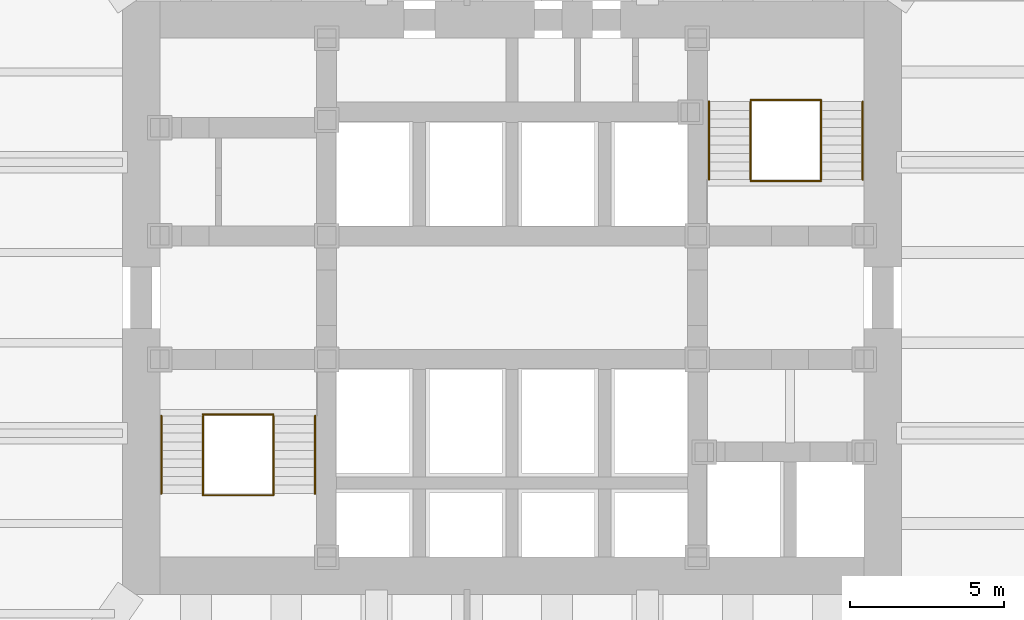
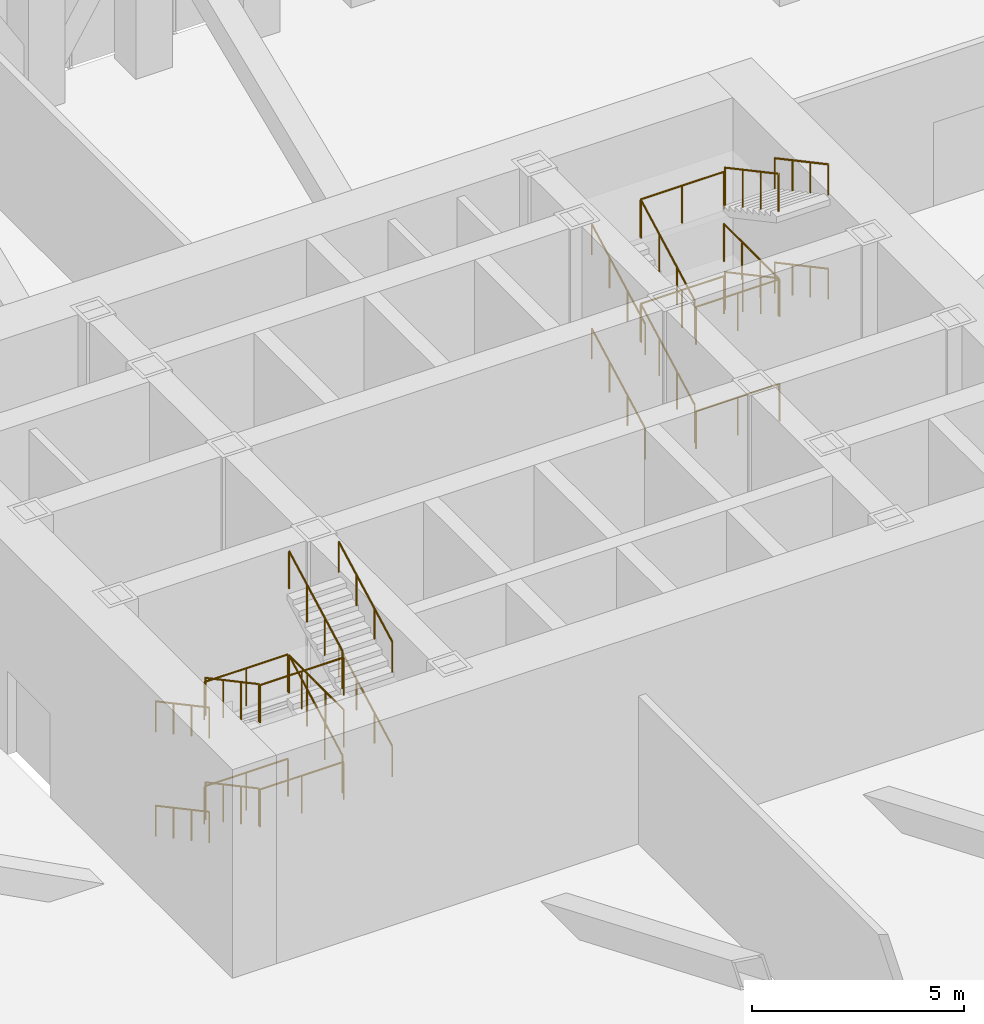
# One storey, part 15 of 15: 26 railings.
"""IFC4 building model written with IfcOpenShell, lengths in metres."""

from ifc_helpers import new_model, si_unit, direction, frame, origin, origin_2d, place, context, subcontext, project, spatial, circle, extrude, material, type_object, element, save


model = new_model("IFC4")

# Units and contexts
model_context = context("Model", 3, precision=1e-05, world=origin(), true_north=direction((0.0, 1.0)))
body_context = subcontext(model_context, "Body", "Model", "MODEL_VIEW")
ifc_project = project(units=[si_unit("LENGTHUNIT", "METRE"), si_unit("AREAUNIT", "SQUARE_METRE"), si_unit("VOLUMEUNIT", "CUBIC_METRE"), si_unit("PLANEANGLEUNIT", "RADIAN"), si_unit("MASSUNIT", "GRAM", prefix="KILO")], contexts=[model_context])

# Site, building, storey
site_placement = place(None, origin())
site = spatial("IfcSite", under=ifc_project, at=site_placement, CompositionType="ELEMENT")
building_placement = place(site_placement, origin())
building = spatial("IfcBuilding", under=site, at=building_placement, Name="Daluyong Arena Tower", CompositionType="ELEMENT")
storey_placement = place(building_placement, frame((0.0, 0.0, 102.10009765625)))
storey = spatial("IfcBuildingStorey", under=building, at=storey_placement, Name="L22", CompositionType="ELEMENT", Elevation=102.10009765625)

# Railings
ifc_material_1 = material(Name="Stainless steel handrail", Category="steel")
railing_type_1 = type_object("IfcRailingType", Name="Stair handrail", PredefinedType="HANDRAIL", material=ifc_material_1)
railing_1_placement = place(storey_placement, frame((44.64990234375, 76.175048828125, 0.14990234375)))
element("IfcRailing", 1, at=railing_1_placement, inside=storey, type_object=railing_type_1, Name="exit stair A handrail L22", PredefinedType="HANDRAIL", context=body_context, shape_type="SweptSolid", body=[
    extrude(circle(Radius=0.02392578125, at=origin_2d()), frame((0.0, 0.0, 0.8759765625), z_axis=(0.0, -0.881467274426, 0.472245110209), x_axis=(1.0, 0.0, 0.0)), (0.0, 0.0, 1.0), 2.85888671875),
    extrude(circle(Radius=0.02099609375, at=origin_2d()), origin(), (0.0, 0.0, 1.0), 0.851806640625),
    extrude(circle(Radius=0.02099609375, at=origin_2d()), frame((0.0, -0.840087890625, 0.449951171875)), (0.0, 0.0, 1.0), 0.851806640625),
    extrude(circle(Radius=0.02099609375, at=origin_2d()), frame((0.0, -1.679931640625, 0.900146484375)), (0.0, 0.0, 1.0), 0.851806640625),
    extrude(circle(Radius=0.02099609375, at=origin_2d()), frame((0.0, -2.52001953125, 1.35009765625)), (0.0, 0.0, 1.0), 0.851806640625),
])
railing_2_placement = place(storey_placement, frame((49.625, 73.655029296875, 1.64990234375)))
element("IfcRailing", 2, at=railing_2_placement, inside=storey, type_object=railing_type_1, Name="exit stair A handrail L22", PredefinedType="HANDRAIL", context=body_context, shape_type="SweptSolid", body=[
    extrude(circle(Radius=0.02392578125, at=origin_2d()), frame((0.0, 0.0, 0.8759765625), z_axis=(0.0, 0.881467274426, 0.472245110209), x_axis=(-1.0, 0.0, 0.0)), (0.0, 0.0, 1.0), 2.85888671875),
    extrude(circle(Radius=0.02099609375, at=origin_2d()), origin(), (0.0, 0.0, 1.0), 0.851806640625),
    extrude(circle(Radius=0.02099609375, at=origin_2d()), frame((0.0, 0.840087890625, 0.449951171875)), (0.0, 0.0, 1.0), 0.851806640625),
    extrude(circle(Radius=0.02099609375, at=origin_2d()), frame((0.0, 1.679931640625, 0.900146484375)), (0.0, 0.0, 1.0), 0.851806640625),
    extrude(circle(Radius=0.02099609375, at=origin_2d()), frame((0.0, 2.52001953125, 1.35009765625)), (0.0, 0.0, 1.0), 0.851806640625),
])
railing_3_placement = place(storey_placement, frame((44.64990234375, 76.175048828125, 3.14990234375)))
element("IfcRailing", 3, at=railing_3_placement, inside=storey, type_object=railing_type_1, Name="exit stair A handrail L22", PredefinedType="HANDRAIL", context=body_context, shape_type="SweptSolid", body=[
    extrude(circle(Radius=0.02392578125, at=origin_2d()), frame((0.0, 0.0, 0.8759765625), z_axis=(0.0, -0.881467274426, 0.472245110209), x_axis=(1.0, 0.0, 0.0)), (0.0, 0.0, 1.0), 2.85888671875),
    extrude(circle(Radius=0.02099609375, at=origin_2d()), origin(), (0.0, 0.0, 1.0), 0.851806640625),
    extrude(circle(Radius=0.02099609375, at=origin_2d()), frame((0.0, -0.840087890625, 0.449951171875)), (0.0, 0.0, 1.0), 0.851806640625),
    extrude(circle(Radius=0.02099609375, at=origin_2d()), frame((0.0, -1.679931640625, 0.900146484375)), (0.0, 0.0, 1.0), 0.851806640625),
    extrude(circle(Radius=0.02099609375, at=origin_2d()), frame((0.0, -2.52001953125, 1.35009765625)), (0.0, 0.0, 1.0), 0.851806640625),
])
for number, where, name in (
    (4, (49.625, 73.655029296875, 4.64990234375), "exit stair A handrail L22"),
    (5, (62.375, 83.824951171875, 0.14990234375), "exit stair B handrail L22"),
):
    element("IfcRailing", number, at=place(storey_placement, frame(where)), inside=storey, type_object=railing_type_1, Name=name, PredefinedType="HANDRAIL", context=body_context, shape_type="SweptSolid", body=[
        extrude(circle(Radius=0.02392578125, at=origin_2d()), frame((0.0, 0.0, 0.8759765625), z_axis=(0.0, 0.881467274426, 0.472245110209), x_axis=(-1.0, 0.0, 0.0)), (0.0, 0.0, 1.0), 2.85888671875),
        extrude(circle(Radius=0.02099609375, at=origin_2d()), origin(), (0.0, 0.0, 1.0), 0.851806640625),
        extrude(circle(Radius=0.02099609375, at=origin_2d()), frame((0.0, 0.840087890625, 0.449951171875)), (0.0, 0.0, 1.0), 0.851806640625),
        extrude(circle(Radius=0.02099609375, at=origin_2d()), frame((0.0, 1.679931640625, 0.900146484375)), (0.0, 0.0, 1.0), 0.851806640625),
        extrude(circle(Radius=0.02099609375, at=origin_2d()), frame((0.0, 2.52001953125, 1.35009765625)), (0.0, 0.0, 1.0), 0.851806640625),
    ])
railing_4_placement = place(storey_placement, frame((67.35009765625, 86.344970703125, 1.64990234375)))
element("IfcRailing", 6, at=railing_4_placement, inside=storey, type_object=railing_type_1, Name="exit stair B handrail L22", PredefinedType="HANDRAIL", context=body_context, shape_type="SweptSolid", body=[
    extrude(circle(Radius=0.02392578125, at=origin_2d()), frame((0.0, 0.0, 0.8759765625), z_axis=(0.0, -0.881467274426, 0.472245110209), x_axis=(1.0, 0.0, 0.0)), (0.0, 0.0, 1.0), 2.85888671875),
    extrude(circle(Radius=0.02099609375, at=origin_2d()), origin(), (0.0, 0.0, 1.0), 0.851806640625),
    extrude(circle(Radius=0.02099609375, at=origin_2d()), frame((0.0, -0.840087890625, 0.449951171875)), (0.0, 0.0, 1.0), 0.851806640625),
    extrude(circle(Radius=0.02099609375, at=origin_2d()), frame((0.0, -1.679931640625, 0.900146484375)), (0.0, 0.0, 1.0), 0.851806640625),
    extrude(circle(Radius=0.02099609375, at=origin_2d()), frame((0.0, -2.52001953125, 1.35009765625)), (0.0, 0.0, 1.0), 0.851806640625),
])
railing_5_placement = place(storey_placement, frame((62.375, 83.824951171875, 3.14990234375)))
element("IfcRailing", 7, at=railing_5_placement, inside=storey, type_object=railing_type_1, Name="exit stair B handrail L22", PredefinedType="HANDRAIL", context=body_context, shape_type="SweptSolid", body=[
    extrude(circle(Radius=0.02392578125, at=origin_2d()), frame((0.0, 0.0, 0.8759765625), z_axis=(0.0, 0.881467274426, 0.472245110209), x_axis=(-1.0, 0.0, 0.0)), (0.0, 0.0, 1.0), 2.85888671875),
    extrude(circle(Radius=0.02099609375, at=origin_2d()), origin(), (0.0, 0.0, 1.0), 0.851806640625),
    extrude(circle(Radius=0.02099609375, at=origin_2d()), frame((0.0, 0.840087890625, 0.449951171875)), (0.0, 0.0, 1.0), 0.851806640625),
    extrude(circle(Radius=0.02099609375, at=origin_2d()), frame((0.0, 1.679931640625, 0.900146484375)), (0.0, 0.0, 1.0), 0.851806640625),
    extrude(circle(Radius=0.02099609375, at=origin_2d()), frame((0.0, 2.52001953125, 1.35009765625)), (0.0, 0.0, 1.0), 0.851806640625),
])
railing_6_placement = place(storey_placement, frame((67.35009765625, 86.344970703125, 4.64990234375)))
element("IfcRailing", 8, at=railing_6_placement, inside=storey, type_object=railing_type_1, Name="exit stair B handrail L22", PredefinedType="HANDRAIL", context=body_context, shape_type="SweptSolid", body=[
    extrude(circle(Radius=0.02392578125, at=origin_2d()), frame((0.0, 0.0, 0.8759765625), z_axis=(0.0, -0.881467274426, 0.472245110209), x_axis=(1.0, 0.0, 0.0)), (0.0, 0.0, 1.0), 2.85888671875),
    extrude(circle(Radius=0.02099609375, at=origin_2d()), origin(), (0.0, 0.0, 1.0), 0.851806640625),
    extrude(circle(Radius=0.02099609375, at=origin_2d()), frame((0.0, -0.840087890625, 0.449951171875)), (0.0, 0.0, 1.0), 0.851806640625),
    extrude(circle(Radius=0.02099609375, at=origin_2d()), frame((0.0, -1.679931640625, 0.900146484375)), (0.0, 0.0, 1.0), 0.851806640625),
    extrude(circle(Radius=0.02099609375, at=origin_2d()), frame((0.0, -2.52001953125, 1.35009765625)), (0.0, 0.0, 1.0), 0.851806640625),
])
ifc_material_2 = material(Name="Steel balustrade", Category="steel")
railing_type_2 = type_object("IfcRailingType", Name="Stair well guard 1100", PredefinedType="GUARDRAIL", material=ifc_material_2)
railing_7_placement = place(storey_placement, frame((46.0, 76.175048828125, 0.14990234375)))
element("IfcRailing", 9, at=railing_7_placement, inside=storey, type_object=railing_type_2, Name="exit stair A well guard L22", PredefinedType="GUARDRAIL", context=body_context, shape_type="SweptSolid", body=[
    extrude(circle(Radius=0.02392578125, at=origin_2d()), frame((0.0, 0.0, 1.076171875), z_axis=(0.0, -0.881467274426, 0.472245110209), x_axis=(1.0, 0.0, 0.0)), (0.0, 0.0, 1.0), 2.85888671875),
    extrude(circle(Radius=0.02099609375, at=origin_2d()), origin(), (0.0, 0.0, 1.0), 1.052001953125),
    extrude(circle(Radius=0.02099609375, at=origin_2d()), frame((0.0, -0.840087890625, 0.449951171875)), (0.0, 0.0, 1.0), 1.052001953125),
    extrude(circle(Radius=0.02099609375, at=origin_2d()), frame((0.0, -1.679931640625, 0.900146484375)), (0.0, 0.0, 1.0), 1.052001953125),
    extrude(circle(Radius=0.02099609375, at=origin_2d()), frame((0.0, -2.52001953125, 1.35009765625)), (0.0, 0.0, 1.0), 1.052001953125),
])
railing_8_placement = place(storey_placement, frame((48.27490234375, 73.655029296875, 1.64990234375)))
element("IfcRailing", 10, at=railing_8_placement, inside=storey, type_object=railing_type_2, Name="exit stair A well guard L22", PredefinedType="GUARDRAIL", context=body_context, shape_type="SweptSolid", body=[
    extrude(circle(Radius=0.02392578125, at=origin_2d()), frame((0.0, 0.0, 1.076171875), z_axis=(0.0, 0.881467274426, 0.472245110209), x_axis=(-1.0, 0.0, 0.0)), (0.0, 0.0, 1.0), 2.85888671875),
    extrude(circle(Radius=0.02099609375, at=origin_2d()), origin(), (0.0, 0.0, 1.0), 1.052001953125),
    extrude(circle(Radius=0.02099609375, at=origin_2d()), frame((0.0, 0.840087890625, 0.449951171875)), (0.0, 0.0, 1.0), 1.052001953125),
    extrude(circle(Radius=0.02099609375, at=origin_2d()), frame((0.0, 1.679931640625, 0.900146484375)), (0.0, 0.0, 1.0), 1.052001953125),
    extrude(circle(Radius=0.02099609375, at=origin_2d()), frame((0.0, 2.52001953125, 1.35009765625)), (0.0, 0.0, 1.0), 1.052001953125),
])
railing_9_placement = place(storey_placement, frame((46.0, 76.175048828125, 3.14990234375)))
element("IfcRailing", 11, at=railing_9_placement, inside=storey, type_object=railing_type_2, Name="exit stair A well guard L22", PredefinedType="GUARDRAIL", context=body_context, shape_type="SweptSolid", body=[
    extrude(circle(Radius=0.02392578125, at=origin_2d()), frame((0.0, 0.0, 1.076171875), z_axis=(0.0, -0.881467274426, 0.472245110209), x_axis=(1.0, 0.0, 0.0)), (0.0, 0.0, 1.0), 2.85888671875),
    extrude(circle(Radius=0.02099609375, at=origin_2d()), origin(), (0.0, 0.0, 1.0), 1.052001953125),
    extrude(circle(Radius=0.02099609375, at=origin_2d()), frame((0.0, -0.840087890625, 0.449951171875)), (0.0, 0.0, 1.0), 1.052001953125),
    extrude(circle(Radius=0.02099609375, at=origin_2d()), frame((0.0, -1.679931640625, 0.900146484375)), (0.0, 0.0, 1.0), 1.052001953125),
    extrude(circle(Radius=0.02099609375, at=origin_2d()), frame((0.0, -2.52001953125, 1.35009765625)), (0.0, 0.0, 1.0), 1.052001953125),
])
railing_10_placement = place(storey_placement, frame((48.27490234375, 73.655029296875, 4.64990234375)))
element("IfcRailing", 12, at=railing_10_placement, inside=storey, type_object=railing_type_2, Name="exit stair A well guard L22", PredefinedType="GUARDRAIL", context=body_context, shape_type="SweptSolid", body=[
    extrude(circle(Radius=0.02392578125, at=origin_2d()), frame((0.0, 0.0, 1.076171875), z_axis=(0.0, 0.881467274426, 0.472245110209), x_axis=(-1.0, 0.0, 0.0)), (0.0, 0.0, 1.0), 2.85888671875),
    extrude(circle(Radius=0.02099609375, at=origin_2d()), origin(), (0.0, 0.0, 1.0), 1.052001953125),
    extrude(circle(Radius=0.02099609375, at=origin_2d()), frame((0.0, 0.840087890625, 0.449951171875)), (0.0, 0.0, 1.0), 1.052001953125),
    extrude(circle(Radius=0.02099609375, at=origin_2d()), frame((0.0, 1.679931640625, 0.900146484375)), (0.0, 0.0, 1.0), 1.052001953125),
    extrude(circle(Radius=0.02099609375, at=origin_2d()), frame((0.0, 2.52001953125, 1.35009765625)), (0.0, 0.0, 1.0), 1.052001953125),
])
for number, where, name in (
    (13, (46.0, 73.60498046875, 1.5), "exit stair A landing guard L22"),
    (14, (46.0, 76.22509765625, 3.0), "exit stair A landing guard L22"),
    (15, (46.0, 73.60498046875, 4.5), "exit stair A landing guard L22"),
):
    element("IfcRailing", number, at=place(storey_placement, frame(where)), inside=storey, type_object=railing_type_2, Name=name, PredefinedType="GUARDRAIL", context=body_context, shape_type="SweptSolid", body=[
        extrude(circle(Radius=0.02392578125, at=origin_2d()), frame((0.0, 0.0, 1.076171875), z_axis=(1.0, 0.0, 0.0), x_axis=(0.0, 1.0, 0.0)), (0.0, 0.0, 1.0), 2.27490234375),
        extrude(circle(Radius=0.02099609375, at=origin_2d()), origin(), (0.0, 0.0, 1.0), 1.052001953125),
        extrude(circle(Radius=0.02099609375, at=origin_2d()), frame((1.137451171875, 0.0, 0.0)), (0.0, 0.0, 1.0), 1.052001953125),
        extrude(circle(Radius=0.02099609375, at=origin_2d()), frame((2.27490234375, 0.0, 0.0)), (0.0, 0.0, 1.0), 1.052001953125),
    ])
railing_11_placement = place(storey_placement, frame((48.27490234375, 73.60498046875, 3.0)))
element("IfcRailing", 16, at=railing_11_placement, inside=storey, type_object=railing_type_2, Name="exit stair A landing guard L22", PredefinedType="GUARDRAIL", context=body_context, shape_type="SweptSolid", body=[
    extrude(circle(Radius=0.02392578125, at=origin_2d()), frame((0.0, 0.0, 1.076171875), z_axis=(0.0, 1.0, 0.0), x_axis=(-1.0, 0.0, 0.0)), (0.0, 0.0, 1.0), 2.570068359375),
    extrude(circle(Radius=0.02099609375, at=origin_2d()), origin(), (0.0, 0.0, 1.0), 1.052001953125),
    extrude(circle(Radius=0.02099609375, at=origin_2d()), frame((0.0, 0.856689453125, 0.0)), (0.0, 0.0, 1.0), 1.052001953125),
    extrude(circle(Radius=0.02099609375, at=origin_2d()), frame((0.0, 1.71337890625, 0.0)), (0.0, 0.0, 1.0), 1.052001953125),
    extrude(circle(Radius=0.02099609375, at=origin_2d()), frame((0.0, 2.570068359375, 0.0)), (0.0, 0.0, 1.0), 1.052001953125),
])
railing_12_placement = place(storey_placement, frame((46.0, 76.22509765625, 0.0)))
element("IfcRailing", 17, at=railing_12_placement, inside=storey, type_object=railing_type_2, Name="exit stair A floor landing guard L22", PredefinedType="GUARDRAIL", context=body_context, shape_type="SweptSolid", body=[
    extrude(circle(Radius=0.02392578125, at=origin_2d()), frame((0.0, 0.0, 1.076171875), z_axis=(1.0, 0.0, 0.0), x_axis=(0.0, 1.0, 0.0)), (0.0, 0.0, 1.0), 2.27490234375),
    extrude(circle(Radius=0.02099609375, at=origin_2d()), origin(), (0.0, 0.0, 1.0), 1.052001953125),
    extrude(circle(Radius=0.02099609375, at=origin_2d()), frame((1.137451171875, 0.0, 0.0)), (0.0, 0.0, 1.0), 1.052001953125),
    extrude(circle(Radius=0.02099609375, at=origin_2d()), frame((2.27490234375, 0.0, 0.0)), (0.0, 0.0, 1.0), 1.052001953125),
])
railing_13_placement = place(storey_placement, frame((63.72509765625, 83.824951171875, 0.14990234375)))
element("IfcRailing", 18, at=railing_13_placement, inside=storey, type_object=railing_type_2, Name="exit stair B well guard L22", PredefinedType="GUARDRAIL", context=body_context, shape_type="SweptSolid", body=[
    extrude(circle(Radius=0.02392578125, at=origin_2d()), frame((0.0, 0.0, 1.076171875), z_axis=(0.0, 0.881467274426, 0.472245110209), x_axis=(-1.0, 0.0, 0.0)), (0.0, 0.0, 1.0), 2.85888671875),
    extrude(circle(Radius=0.02099609375, at=origin_2d()), origin(), (0.0, 0.0, 1.0), 1.052001953125),
    extrude(circle(Radius=0.02099609375, at=origin_2d()), frame((0.0, 0.840087890625, 0.449951171875)), (0.0, 0.0, 1.0), 1.052001953125),
    extrude(circle(Radius=0.02099609375, at=origin_2d()), frame((0.0, 1.679931640625, 0.900146484375)), (0.0, 0.0, 1.0), 1.052001953125),
    extrude(circle(Radius=0.02099609375, at=origin_2d()), frame((0.0, 2.52001953125, 1.35009765625)), (0.0, 0.0, 1.0), 1.052001953125),
])
railing_14_placement = place(storey_placement, frame((66.0, 86.344970703125, 1.64990234375)))
element("IfcRailing", 19, at=railing_14_placement, inside=storey, type_object=railing_type_2, Name="exit stair B well guard L22", PredefinedType="GUARDRAIL", context=body_context, shape_type="SweptSolid", body=[
    extrude(circle(Radius=0.02392578125, at=origin_2d()), frame((0.0, 0.0, 1.076171875), z_axis=(0.0, -0.881467274426, 0.472245110209), x_axis=(1.0, 0.0, 0.0)), (0.0, 0.0, 1.0), 2.85888671875),
    extrude(circle(Radius=0.02099609375, at=origin_2d()), origin(), (0.0, 0.0, 1.0), 1.052001953125),
    extrude(circle(Radius=0.02099609375, at=origin_2d()), frame((0.0, -0.840087890625, 0.449951171875)), (0.0, 0.0, 1.0), 1.052001953125),
    extrude(circle(Radius=0.02099609375, at=origin_2d()), frame((0.0, -1.679931640625, 0.900146484375)), (0.0, 0.0, 1.0), 1.052001953125),
    extrude(circle(Radius=0.02099609375, at=origin_2d()), frame((0.0, -2.52001953125, 1.35009765625)), (0.0, 0.0, 1.0), 1.052001953125),
])
railing_15_placement = place(storey_placement, frame((63.72509765625, 83.824951171875, 3.14990234375)))
element("IfcRailing", 20, at=railing_15_placement, inside=storey, type_object=railing_type_2, Name="exit stair B well guard L22", PredefinedType="GUARDRAIL", context=body_context, shape_type="SweptSolid", body=[
    extrude(circle(Radius=0.02392578125, at=origin_2d()), frame((0.0, 0.0, 1.076171875), z_axis=(0.0, 0.881467274426, 0.472245110209), x_axis=(-1.0, 0.0, 0.0)), (0.0, 0.0, 1.0), 2.85888671875),
    extrude(circle(Radius=0.02099609375, at=origin_2d()), origin(), (0.0, 0.0, 1.0), 1.052001953125),
    extrude(circle(Radius=0.02099609375, at=origin_2d()), frame((0.0, 0.840087890625, 0.449951171875)), (0.0, 0.0, 1.0), 1.052001953125),
    extrude(circle(Radius=0.02099609375, at=origin_2d()), frame((0.0, 1.679931640625, 0.900146484375)), (0.0, 0.0, 1.0), 1.052001953125),
    extrude(circle(Radius=0.02099609375, at=origin_2d()), frame((0.0, 2.52001953125, 1.35009765625)), (0.0, 0.0, 1.0), 1.052001953125),
])
railing_16_placement = place(storey_placement, frame((66.0, 86.344970703125, 4.64990234375)))
element("IfcRailing", 21, at=railing_16_placement, inside=storey, type_object=railing_type_2, Name="exit stair B well guard L22", PredefinedType="GUARDRAIL", context=body_context, shape_type="SweptSolid", body=[
    extrude(circle(Radius=0.02392578125, at=origin_2d()), frame((0.0, 0.0, 1.076171875), z_axis=(0.0, -0.881467274426, 0.472245110209), x_axis=(1.0, 0.0, 0.0)), (0.0, 0.0, 1.0), 2.85888671875),
    extrude(circle(Radius=0.02099609375, at=origin_2d()), origin(), (0.0, 0.0, 1.0), 1.052001953125),
    extrude(circle(Radius=0.02099609375, at=origin_2d()), frame((0.0, -0.840087890625, 0.449951171875)), (0.0, 0.0, 1.0), 1.052001953125),
    extrude(circle(Radius=0.02099609375, at=origin_2d()), frame((0.0, -1.679931640625, 0.900146484375)), (0.0, 0.0, 1.0), 1.052001953125),
    extrude(circle(Radius=0.02099609375, at=origin_2d()), frame((0.0, -2.52001953125, 1.35009765625)), (0.0, 0.0, 1.0), 1.052001953125),
])
for number, where, name in (
    (22, (63.72509765625, 86.39501953125, 1.5), "exit stair B landing guard L22"),
    (23, (63.72509765625, 83.77490234375, 3.0), "exit stair B landing guard L22"),
    (24, (63.72509765625, 86.39501953125, 4.5), "exit stair B landing guard L22"),
):
    element("IfcRailing", number, at=place(storey_placement, frame(where)), inside=storey, type_object=railing_type_2, Name=name, PredefinedType="GUARDRAIL", context=body_context, shape_type="SweptSolid", body=[
        extrude(circle(Radius=0.02392578125, at=origin_2d()), frame((0.0, 0.0, 1.076171875), z_axis=(1.0, 0.0, 0.0), x_axis=(0.0, 1.0, 0.0)), (0.0, 0.0, 1.0), 2.27490234375),
        extrude(circle(Radius=0.02099609375, at=origin_2d()), origin(), (0.0, 0.0, 1.0), 1.052001953125),
        extrude(circle(Radius=0.02099609375, at=origin_2d()), frame((1.137451171875, 0.0, 0.0)), (0.0, 0.0, 1.0), 1.052001953125),
        extrude(circle(Radius=0.02099609375, at=origin_2d()), frame((2.27490234375, 0.0, 0.0)), (0.0, 0.0, 1.0), 1.052001953125),
    ])
railing_17_placement = place(storey_placement, frame((66.0, 86.39501953125, 3.0)))
element("IfcRailing", 25, at=railing_17_placement, inside=storey, type_object=railing_type_2, Name="exit stair B landing guard L22", PredefinedType="GUARDRAIL", context=body_context, shape_type="SweptSolid", body=[
    extrude(circle(Radius=0.02392578125, at=origin_2d()), frame((0.0, 0.0, 1.076171875), z_axis=(0.0, -1.0, 0.0), x_axis=(1.0, 0.0, 0.0)), (0.0, 0.0, 1.0), 2.570068359375),
    extrude(circle(Radius=0.02099609375, at=origin_2d()), origin(), (0.0, 0.0, 1.0), 1.052001953125),
    extrude(circle(Radius=0.02099609375, at=origin_2d()), frame((0.0, -0.856689453125, 0.0)), (0.0, 0.0, 1.0), 1.052001953125),
    extrude(circle(Radius=0.02099609375, at=origin_2d()), frame((0.0, -1.71337890625, 0.0)), (0.0, 0.0, 1.0), 1.052001953125),
    extrude(circle(Radius=0.02099609375, at=origin_2d()), frame((0.0, -2.570068359375, 0.0)), (0.0, 0.0, 1.0), 1.052001953125),
])
railing_18_placement = place(storey_placement, frame((63.72509765625, 83.77490234375, 0.0)))
element("IfcRailing", 26, at=railing_18_placement, inside=storey, type_object=railing_type_2, Name="exit stair B floor landing guard L22", PredefinedType="GUARDRAIL", context=body_context, shape_type="SweptSolid", body=[
    extrude(circle(Radius=0.02392578125, at=origin_2d()), frame((0.0, 0.0, 1.076171875), z_axis=(1.0, 0.0, 0.0), x_axis=(0.0, 1.0, 0.0)), (0.0, 0.0, 1.0), 2.27490234375),
    extrude(circle(Radius=0.02099609375, at=origin_2d()), origin(), (0.0, 0.0, 1.0), 1.052001953125),
    extrude(circle(Radius=0.02099609375, at=origin_2d()), frame((1.137451171875, 0.0, 0.0)), (0.0, 0.0, 1.0), 1.052001953125),
    extrude(circle(Radius=0.02099609375, at=origin_2d()), frame((2.27490234375, 0.0, 0.0)), (0.0, 0.0, 1.0), 1.052001953125),
])

save(model, "model.ifc")
